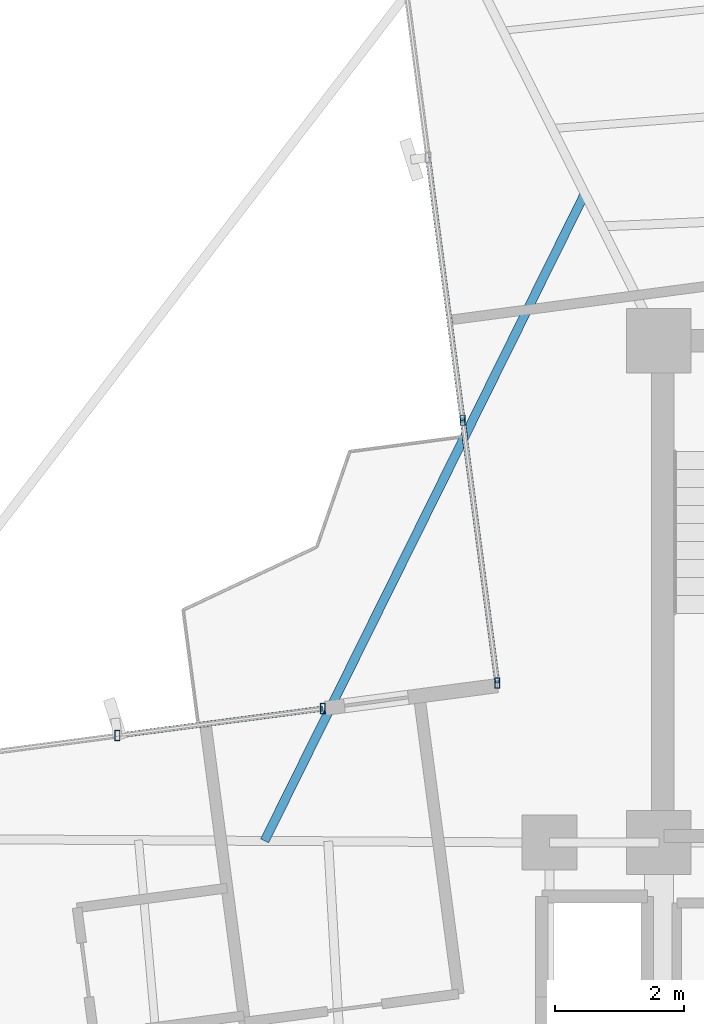
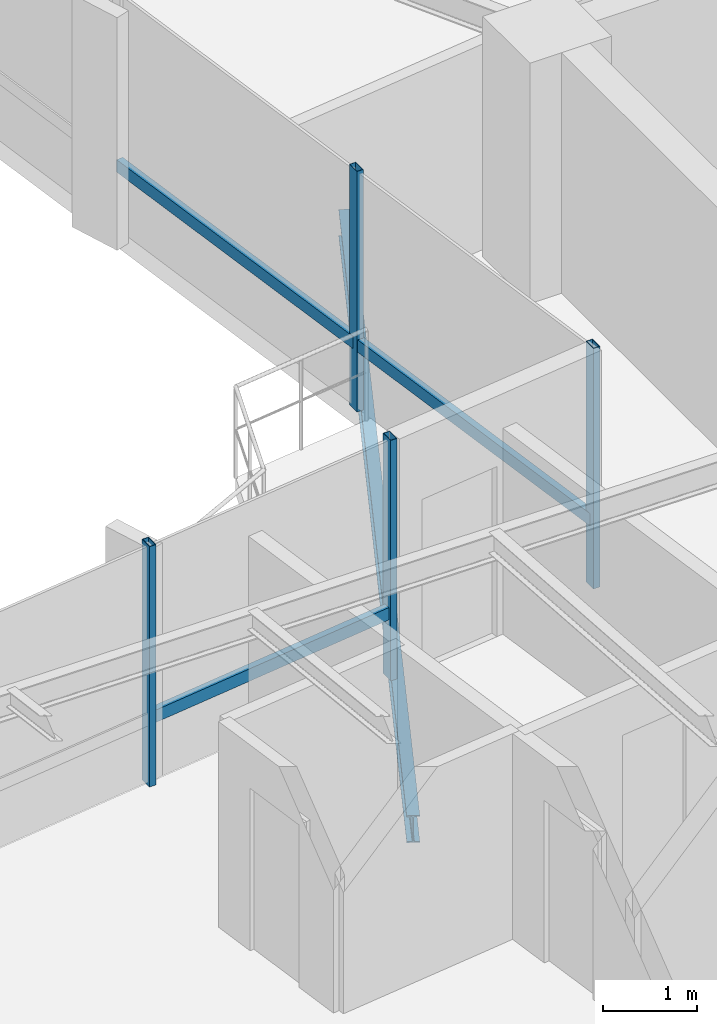
# One storey, part 9 of 22: 7 members, 1 beam, 2 elements without a shape of their own.
"""IFC4 building model written with IfcOpenShell, lengths in metres."""

from ifc_helpers import new_model, si_unit, direction, frame, origin, origin_2d, place, context, subcontext, project, spatial, hollow_rectangle, i_section, extrude, source, transform, mapped, material, material_profile, profile_set, type_object, element, aggregate, save


model = new_model("IFC4")

# Units and contexts
model_context = context("Model", 3, precision=1e-05, world=origin(), true_north=direction((0.0, 1.0)))
body_context = subcontext(model_context, "Body", "Model", "MODEL_VIEW")
ifc_project = project(units=[si_unit("LENGTHUNIT", "METRE"), si_unit("AREAUNIT", "SQUARE_METRE"), si_unit("VOLUMEUNIT", "CUBIC_METRE"), si_unit("PLANEANGLEUNIT", "RADIAN"), si_unit("MASSUNIT", "GRAM", prefix="KILO")], contexts=[model_context])

# Site, building, storey
site_placement = place(None, origin())
site = spatial("IfcSite", under=ifc_project, at=site_placement, CompositionType="ELEMENT")
building_placement = place(site_placement, origin())
building = spatial("IfcBuilding", under=site, at=building_placement, Name="Sahyath Konkavel Grand Hotel", CompositionType="ELEMENT")
storey_placement = place(building_placement, frame((0.0, 0.0, 241.14990234375)))
storey = spatial("IfcBuildingStorey", under=building, at=storey_placement, Name="L67", CompositionType="ELEMENT", Elevation=241.14990234375)

# Curtain wall, members
ifc_material_1 = material(Name="Anodised Bronze Aluminium & Low-E Glazing", Category="aluminium")
curtain_wall_type = type_object("IfcCurtainWallType", Name="CW-ZONE4", PredefinedType="NOTDEFINED", material=ifc_material_1)
curtain_wall_1_placement = place(storey_placement, origin())
curtain_wall_1 = element("IfcCurtainWall", 1, at=curtain_wall_1_placement, inside=storey, type_object=curtain_wall_type, Name="L67 Unitised Curtain Wall F15", PredefinedType="NOTDEFINED")
ifc_material_2 = material(Name="Anodised Bronze Aluminium", Category="aluminium")
ifc_material_profile_1 = material_profile(ifc_material_2, hollow_rectangle(XDim=0.080078125, YDim=0.159912109375, WallThickness=0.006103515625, at=origin_2d()), Name="RHS 160x80x6")
ifc_profile_set_1 = profile_set([ifc_material_profile_1], Name="Anodised Bronze Aluminium")
member_type_1 = type_object("IfcMemberType", Name="CW-MUL-160", PredefinedType="MULLION", material=ifc_profile_set_1)
shared_shape_1 = source(origin(), body_context, "Body", "SweptSolid", [
    extrude(hollow_rectangle(XDim=0.080078125, YDim=0.159912109375, WallThickness=0.006103515625, at=origin_2d()), origin(), (0.0, 0.0, 1.0), 3.110107421875),
])
member_1_placement = place(storey_placement, frame((-6.849365234375, 8.96240234375, 0.0), z_axis=(0.0, 0.0, 1.0), x_axis=(1.0, 0.0, 0.0)))
member_1 = element("IfcMember", 2, at=member_1_placement, type_object=member_type_1, Name="L67 Curtain Wall Mullion F15-2", PredefinedType="MULLION", context=body_context, shape_type="MappedRepresentation", body=[
    mapped(shared_shape_1, transform((0.0, 0.0, 0.0), scale=1.0)),
])
member_2_placement = place(storey_placement, frame((-6.311767578125, 4.87890625, 0.0), z_axis=(0.0, 0.0, 1.0), x_axis=(1.0, 0.0, 0.0)))
member_2 = element("IfcMember", 3, at=member_2_placement, type_object=member_type_1, Name="L67 Curtain Wall Mullion F15-3", PredefinedType="MULLION", context=body_context, shape_type="MappedRepresentation", body=[
    mapped(shared_shape_1, transform((0.0, 0.0, 0.0), scale=1.0)),
])

curtain_wall_2_placement = place(storey_placement, origin())
curtain_wall_2 = element("IfcCurtainWall", 4, at=curtain_wall_2_placement, inside=storey, type_object=curtain_wall_type, Name="L67 Unitised Curtain Wall F16", PredefinedType="NOTDEFINED")
member_3_placement = place(storey_placement, frame((-9.023193359375, 4.481689453125, 0.0), z_axis=(0.0, 0.0, 1.0), x_axis=(1.0, 0.0, 0.0)))
member_3 = element("IfcMember", 5, at=member_3_placement, type_object=member_type_1, Name="L67 Curtain Wall Mullion F16-0", PredefinedType="MULLION", context=body_context, shape_type="MappedRepresentation", body=[
    mapped(shared_shape_1, transform((0.0, 0.0, 0.0), scale=1.0)),
])
member_4_placement = place(storey_placement, frame((-12.21435546875, 4.0615234375, 0.0), z_axis=(0.0, 0.0, 1.0), x_axis=(1.0, 0.0, 0.0)))
member_4 = element("IfcMember", 6, at=member_4_placement, type_object=member_type_1, Name="L67 Curtain Wall Mullion F16-1", PredefinedType="MULLION", context=body_context, shape_type="MappedRepresentation", body=[
    mapped(shared_shape_1, transform((0.0, 0.0, 0.0), scale=1.0)),
])
ifc_material_profile_2 = material_profile(ifc_material_2, hollow_rectangle(XDim=0.080078125, YDim=0.159912109375, WallThickness=0.006103515625, at=origin_2d()), Name="RHS 160x80x6")
ifc_profile_set_2 = profile_set([ifc_material_profile_2], Name="Anodised Bronze Aluminium")
member_type_2 = type_object("IfcMemberType", Name="CW-TRN-160", PredefinedType="USERDEFINED", material=ifc_profile_set_2)
shared_shape_2 = source(origin(), body_context, "Body", "SweptSolid", [
    extrude(hollow_rectangle(XDim=0.080078125, YDim=0.159912109375, WallThickness=0.006103515625, at=origin_2d()), origin(), (0.0, 0.0, 1.0), 3.21875),
])
member_5_placement = place(storey_placement, frame((-9.023193359375, 4.481689453125, 0.85009765625), z_axis=(-0.991443190606, -0.130538882337, 0.0), x_axis=(0.130538882337, -0.991443190606, 0.0)))
member_5 = element("IfcMember", 7, at=member_5_placement, type_object=member_type_2, Name="L67 Curtain Wall Transom F16-0-spandrel", ObjectType="TRANSOM", PredefinedType="USERDEFINED", context=body_context, shape_type="MappedRepresentation", body=[
    mapped(shared_shape_2, transform((0.0, 0.0, 0.0), scale=1.0)),
])
aggregate(curtain_wall_2, [member_3, member_4, member_5])

# Member
shared_shape_3 = source(origin(), body_context, "Body", "SweptSolid", [
    extrude(hollow_rectangle(XDim=0.080078125, YDim=0.159912109375, WallThickness=0.006103515625, at=origin_2d()), origin(), (0.0, 0.0, 1.0), 4.11865234375),
])
member_6_placement = place(storey_placement, frame((-6.849365234375, 8.96240234375, 0.85009765625), z_axis=(0.130525045861, -0.991445012294, 0.0), x_axis=(0.991445012294, 0.130525045861, 0.0)))
member_6 = element("IfcMember", 8, at=member_6_placement, type_object=member_type_2, Name="L67 Curtain Wall Transom F15-2-spandrel", ObjectType="TRANSOM", PredefinedType="USERDEFINED", context=body_context, shape_type="MappedRepresentation", body=[
    mapped(shared_shape_3, transform((0.0, 0.0, 0.0), scale=1.0)),
])

shared_shape_4 = source(origin(), body_context, "Body", "SweptSolid", [
    extrude(hollow_rectangle(XDim=0.080078125, YDim=0.159912109375, WallThickness=0.006103515625, at=origin_2d()), origin(), (0.0, 0.0, 1.0), 4.118408203125),
])
member_7_placement = place(storey_placement, frame((-7.386962890625, 13.045654296875, 0.85009765625), z_axis=(0.130532717079, -0.991444002338, 0.0), x_axis=(0.991444002338, 0.130532717079, 0.0)))
member_7 = element("IfcMember", 9, at=member_7_placement, type_object=member_type_2, Name="L67 Curtain Wall Transom F15-1-spandrel", ObjectType="TRANSOM", PredefinedType="USERDEFINED", context=body_context, shape_type="MappedRepresentation", body=[
    mapped(shared_shape_4, transform((0.0, 0.0, 0.0), scale=1.0)),
])

aggregate(curtain_wall_1, [member_1, member_2, member_7, member_6])

# Beam
ifc_material_3 = material(Name="Steel E350", Category="steel")
ifc_material_profile_3 = material_profile(ifc_material_3, i_section(OverallWidth=0.139892578125, OverallDepth=0.35009765625, WebThickness=0.008056640625, FlangeThickness=0.01416015625, FilletRadius=0.013916015625, at=origin_2d()), Name="ISMB 350")
ifc_profile_set_3 = profile_set([ifc_material_profile_3], Name="Steel E350")
beam_type = type_object("IfcBeamType", Name="BM-BALC-CANT", PredefinedType="BEAM", material=ifc_profile_set_3)
shared_shape_5 = source(origin(), body_context, "Body", "SweptSolid", [
    extrude(i_section(OverallWidth=0.139892578125, OverallDepth=0.35009765625, WebThickness=0.008056640625, FlangeThickness=0.01416015625, FilletRadius=0.013916015625, at=origin_2d()), origin(), (0.0, 0.0, 1.0), 11.22265625),
])
beam_placement = place(storey_placement, frame((-4.9501953125, 12.485595703125, -0.414794921875), z_axis=(-0.443398164449, -0.896324755746, 0.0), x_axis=(0.896324755746, -0.443398164449, 0.0)))
element("IfcBeam", 10, at=beam_placement, inside=storey, type_object=beam_type, Name="L67 Balcony Cantilever Support Beam NW", PredefinedType="BEAM", context=body_context, shape_type="MappedRepresentation", body=[
    mapped(shared_shape_5, transform((0.0, 0.0, 0.0), scale=1.0)),
])

save(model, "model.ifc")
